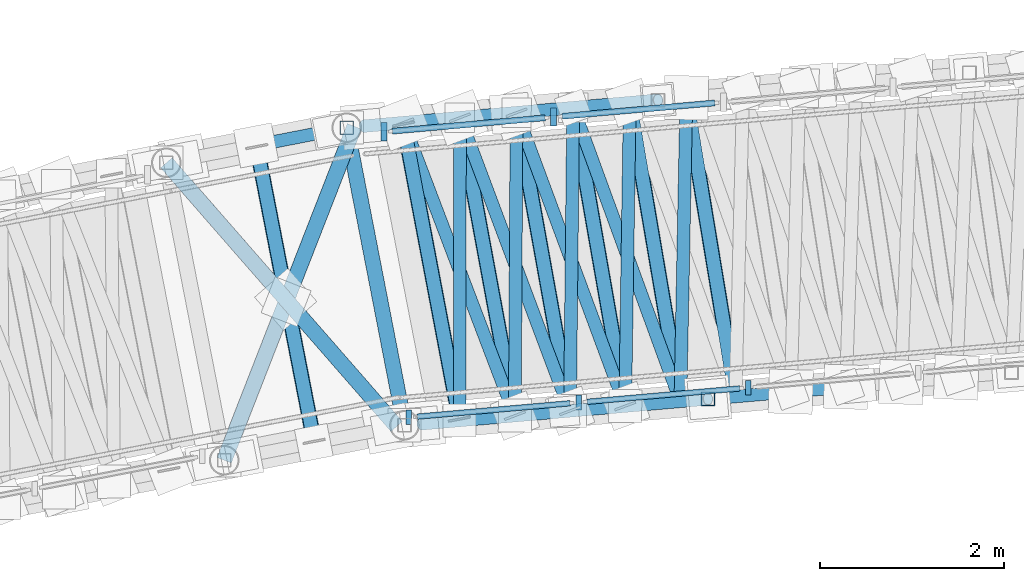
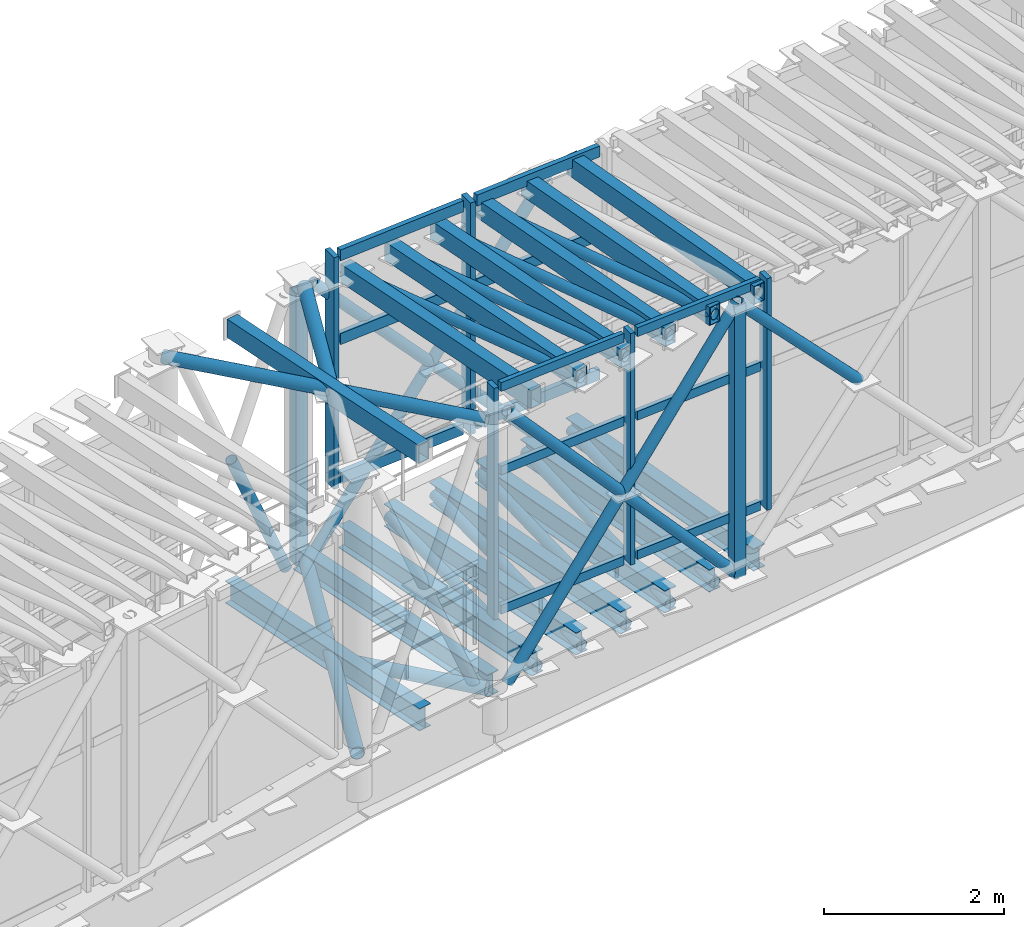
# One storey, part 50 of 144: 47 members, 8 beams, 2 elements without a shape of their own.
"""IFC4 building model written with IfcOpenShell, lengths in metres."""

from ifc_helpers import new_model, si_unit, direction, frame, origin, origin_2d, place, context, subcontext, project, spatial, rectangle, hollow_rectangle, hollow_circle, i_section, extrude, material, material_profile, profile_set, type_object, element, aggregate, save


model = new_model("IFC4")

# Units and contexts
model_context = context("Model", 3, precision=1e-05, world=origin(), true_north=direction((0.0, 1.0)))
body_context = subcontext(model_context, "Body", "Model", "MODEL_VIEW")
ifc_project = project(units=[si_unit("LENGTHUNIT", "METRE"), si_unit("AREAUNIT", "SQUARE_METRE"), si_unit("VOLUMEUNIT", "CUBIC_METRE"), si_unit("PLANEANGLEUNIT", "RADIAN"), si_unit("MASSUNIT", "GRAM", prefix="KILO")], contexts=[model_context])

# Site, building, storey
site_placement = place(None, origin())
site = spatial("IfcSite", under=ifc_project, at=site_placement, CompositionType="ELEMENT")
building_placement = place(site_placement, origin())
building = spatial("IfcBuilding", under=site, at=building_placement, Name="Cinderbank Siding Concert Hall", CompositionType="ELEMENT")
storey_placement = place(building_placement, frame((0.0, 0.0, 5.39990234375)))
storey = spatial("IfcBuildingStorey", under=building, at=storey_placement, Name="L02", CompositionType="ELEMENT", Elevation=5.39990234375)

# Members
ifc_material_1 = material(Name="Structural steel hollow section AS/NZS 1163 Grade C350L0 (350 MPa)", Category="steel")
ifc_material_profile_1 = material_profile(ifc_material_1, hollow_circle(Radius=0.06982421875, WallThickness=0.00634765625, at=origin_2d()), Name="139.7x6.4CHS", Category="LoadBearing")
ifc_profile_set_1 = profile_set([ifc_material_profile_1], Name="Structural steel hollow section AS/NZS 1163 Grade C350L0 (350 MPa)")
member_type_1 = type_object("IfcMemberType", Name="BR-CHS139 139.7x6.4CHS Roof Truss", PredefinedType="BRACE", material=ifc_profile_set_1)
member_1_placement = place(storey_placement, frame((62.666015625, 100.876220703125, 2.346435546875), z_axis=(0.393819954659, 0.076596398108, -0.91599063047), x_axis=(-0.190918403703, 0.981605910296, 0.0)))
element("IfcMember", 1, at=member_1_placement, inside=storey, type_object=member_type_1, Name="L02 Diagonal Brace BR-CHS139 #BRDL-BR-CHS139-L02-0130-S9", PredefinedType="BRACE", context=body_context, shape_type="SweptSolid", body=[
    extrude(hollow_circle(Radius=0.06982421875, WallThickness=0.00634765625, at=origin_2d()), origin(), (0.0, 0.0, 1.0), 2.0048828125),
])
member_2_placement = place(storey_placement, frame((63.831298828125, 101.082763671875, 0.5234375), z_axis=(0.630798352253, 0.055578007236, 0.773953825436), x_axis=(-0.087767400268, 0.996140995768, 0.0)))
element("IfcMember", 2, at=member_2_placement, inside=storey, type_object=member_type_1, Name="L02 Diagonal Brace BR-CHS139 #BRDL-BR-CHS139-L02-0140", PredefinedType="BRACE", context=body_context, shape_type="SweptSolid", body=[
    extrude(hollow_circle(Radius=0.06982421875, WallThickness=0.00634765625, at=origin_2d()), origin(), (0.0, 0.0, 1.0), 5.07373046875),
])
member_3_placement = place(storey_placement, frame((63.831298828125, 101.082763671875, 4.223388671875), z_axis=(0.676439358433, 0.059615567594, -0.734081588424), x_axis=(-0.087791145482, 0.996138903354, 0.0)))
element("IfcMember", 3, at=member_3_placement, inside=storey, type_object=member_type_1, Name="L02 Diagonal Brace BR-CHS139 #BRDL-BR-CHS139-L02-0141", PredefinedType="BRACE", context=body_context, shape_type="SweptSolid", body=[
    extrude(hollow_circle(Radius=0.06982421875, WallThickness=0.00634765625, at=origin_2d()), origin(), (0.0, 0.0, 1.0), 2.3505859375),
])
member_4_placement = place(storey_placement, frame((65.441650390625, 101.224609375, 2.475830078125), z_axis=(0.67638778785, 0.059611022605, -0.734129475251), x_axis=(-0.087791145482, 0.996138903354, 0.0)))
element("IfcMember", 4, at=member_4_placement, inside=storey, type_object=member_type_1, Name="L02 Diagonal Brace BR-CHS139 #BRDL-BR-CHS139-L02-0141-S13", PredefinedType="BRACE", context=body_context, shape_type="SweptSolid", body=[
    extrude(hollow_circle(Radius=0.06982421875, WallThickness=0.00634765625, at=origin_2d()), origin(), (0.0, 0.0, 1.0), 2.350830078125),
])
member_5_placement = place(storey_placement, frame((64.460205078125, 97.84228515625, 0.523681640625), z_axis=(0.620624939229, 0.053939894797, 0.782250070346), x_axis=(-0.086585817785, 0.996244395798, 0.0)))
element("IfcMember", 5, at=member_5_placement, inside=storey, type_object=member_type_1, Name="L02 Diagonal Brace BR-CHS139 #BRDR-BR-CHS139-L02-0152", PredefinedType="BRACE", context=body_context, shape_type="SweptSolid", body=[
    extrude(hollow_circle(Radius=0.06982421875, WallThickness=0.00634765625, at=origin_2d()), origin(), (0.0, 0.0, 1.0), 5.01953125),
])
for number, where, z_axis, x_axis, name in (
    (6, (64.460205078125, 97.84228515625, 4.223876953125), (0.666498202154, 0.057933508343, -0.743252215023), (-0.086595707282, 0.99624353623, 0.0), "L02 Diagonal Brace BR-CHS139 #BRDR-BR-CHS139-L02-0153"),
    (7, (66.02783203125, 97.978515625, 2.475830078125), (0.666498202154, 0.057933508343, -0.743252215023), (-0.086595707282, 0.99624353623, 0.0), "L02 Diagonal Brace BR-CHS139 #BRDR-BR-CHS139-L02-0153-S17"),
):
    element("IfcMember", number, at=place(storey_placement, frame(where, z_axis=z_axis, x_axis=x_axis)), inside=storey, type_object=member_type_1, Name=name, PredefinedType="BRACE", context=body_context, shape_type="SweptSolid", body=[
        extrude(hollow_circle(Radius=0.06982421875, WallThickness=0.00634765625, at=origin_2d()), origin(), (0.0, 0.0, 1.0), 2.322021484375),
    ])
member_6_placement = place(storey_placement, frame((67.575439453125, 98.113037109375, 4.4501953125), z_axis=(0.689403024463, 0.059867861158, -0.721899791565), x_axis=(-0.086514549146, 0.996250587345, 0.0)))
element("IfcMember", 8, at=member_6_placement, inside=storey, type_object=member_type_1, Name="L02 Diagonal Brace BR-CHS139 #BRDR-BR-CHS139-L02-0156", PredefinedType="BRACE", context=body_context, shape_type="SweptSolid", body=[
    extrude(hollow_circle(Radius=0.06982421875, WallThickness=0.00634765625, at=origin_2d()), origin(), (0.0, 0.0, 1.0), 2.381591796875),
])
member_7_placement = place(storey_placement, frame((64.871826171875, 97.878173828125, 0.583740234375), z_axis=(0.000814622265, 0.999911801868, 0.013256125947), x_axis=(-0.999999668137, 0.000814693849, 0.0)))
element("IfcMember", 9, at=member_7_placement, inside=storey, type_object=member_type_1, Name="L02 Diagonal Brace BR-CHS139 #BRST-BR-CHS139-L02-0165", PredefinedType="BRACE", context=body_context, shape_type="SweptSolid", body=[
    extrude(hollow_circle(Radius=0.06982421875, WallThickness=0.00634765625, at=origin_2d()), origin(), (0.0, 0.0, 1.0), 3.296630859375),
])
member_8_placement = place(storey_placement, frame((64.25830078125, 101.120361328125, 4.2236328125), z_axis=(0.355746056215, -0.934494967935, 0.012802280672), x_axis=(0.934571558461, 0.355775212903, 0.0)))
element("IfcMember", 10, at=member_8_placement, inside=storey, type_object=member_type_1, Name="L02 Diagonal Brace BR-CHS139 #BRXR-BR-CHS139-L02-0166", PredefinedType="BRACE", context=body_context, shape_type="SweptSolid", body=[
    extrude(hollow_circle(Radius=0.06982421875, WallThickness=0.00634765625, at=origin_2d()), origin(), (0.0, 0.0, 1.0), 3.41357421875),
])
member_9_placement = place(storey_placement, frame((65.47265625, 97.930419921875, 0.62744140625), z_axis=(0.005550465319, 0.999897825608, 0.013173104356), x_axis=(-0.999984593375, 0.005550946969, 0.0)))
element("IfcMember", 11, at=member_9_placement, inside=storey, type_object=member_type_1, Name="L02 Diagonal Brace BR-CHS139 #BRST-BR-CHS139-L02-0168", PredefinedType="BRACE", context=body_context, shape_type="SweptSolid", body=[
    extrude(hollow_circle(Radius=0.06982421875, WallThickness=0.00634765625, at=origin_2d()), origin(), (0.0, 0.0, 1.0), 3.298828125),
])
member_10_placement = place(storey_placement, frame((64.87451171875, 101.174560546875, 4.267333984375), z_axis=(0.351588839803, -0.936066805217, 0.012814987238), x_axis=(0.936143676955, 0.351617713004, 0.0)))
element("IfcMember", 12, at=member_10_placement, inside=storey, type_object=member_type_1, Name="L02 Diagonal Brace BR-CHS139 #BRXR-BR-CHS139-L02-0169", PredefinedType="BRACE", context=body_context, shape_type="SweptSolid", body=[
    extrude(hollow_circle(Radius=0.06982421875, WallThickness=0.00634765625, at=origin_2d()), origin(), (0.0, 0.0, 1.0), 3.41015625),
])
member_11_placement = place(storey_placement, frame((66.073486328125, 97.982421875, 0.6708984375), z_axis=(0.010279620963, 0.999859535352, 0.013237785268), x_axis=(-0.99994715404, 0.010280521776, 0.0)))
element("IfcMember", 13, at=member_11_placement, inside=storey, type_object=member_type_1, Name="L02 Diagonal Brace BR-CHS139 #BRST-BR-CHS139-L02-0171", PredefinedType="BRACE", context=body_context, shape_type="SweptSolid", body=[
    extrude(hollow_circle(Radius=0.06982421875, WallThickness=0.00634765625, at=origin_2d()), origin(), (0.0, 0.0, 1.0), 3.30126953125),
])
member_12_placement = place(storey_placement, frame((65.490966796875, 101.22900390625, 4.31103515625), z_axis=(0.347353783615, -0.937647391132, 0.012756132346), x_axis=(0.937723686925, 0.347382047579, 0.0)))
element("IfcMember", 14, at=member_12_placement, inside=storey, type_object=member_type_1, Name="L02 Diagonal Brace BR-CHS139 #BRXR-BR-CHS139-L02-0172", PredefinedType="BRACE", context=body_context, shape_type="SweptSolid", body=[
    extrude(hollow_circle(Radius=0.06982421875, WallThickness=0.00634765625, at=origin_2d()), origin(), (0.0, 0.0, 1.0), 3.40673828125),
])
member_13_placement = place(storey_placement, frame((66.67431640625, 98.03466796875, 0.714599609375), z_axis=(0.014927918941, 0.999801066122, 0.013228205398), x_axis=(-0.999888552907, 0.014929225197, 0.0)))
element("IfcMember", 15, at=member_13_placement, inside=storey, type_object=member_type_1, Name="L02 Diagonal Brace BR-CHS139 #BRST-BR-CHS139-L02-0174", PredefinedType="BRACE", context=body_context, shape_type="SweptSolid", body=[
    extrude(hollow_circle(Radius=0.06982421875, WallThickness=0.00634765625, at=origin_2d()), origin(), (0.0, 0.0, 1.0), 3.3037109375),
])
member_14_placement = place(storey_placement, frame((66.107421875, 101.283203125, 4.3544921875), z_axis=(0.343125708625, -0.939201709664, 0.012841208832), x_axis=(0.939279154847, 0.343154002264, 0.0)))
element("IfcMember", 16, at=member_14_placement, inside=storey, type_object=member_type_1, Name="L02 Diagonal Brace BR-CHS139 #BRXR-BR-CHS139-L02-0175", PredefinedType="BRACE", context=body_context, shape_type="SweptSolid", body=[
    extrude(hollow_circle(Radius=0.06982421875, WallThickness=0.00634765625, at=origin_2d()), origin(), (0.0, 0.0, 1.0), 3.403076171875),
])
member_15_placement = place(storey_placement, frame((67.275146484375, 98.0869140625, 0.75830078125), z_axis=(0.019570516883, 0.999721083191, 0.013219330272), x_axis=(-0.999808445617, 0.019572227088, 0.0)))
element("IfcMember", 17, at=member_15_placement, inside=storey, type_object=member_type_1, Name="L02 Diagonal Brace BR-CHS139 #BRST-BR-CHS139-L02-0177", PredefinedType="BRACE", context=body_context, shape_type="SweptSolid", body=[
    extrude(hollow_circle(Radius=0.06982421875, WallThickness=0.00634765625, at=origin_2d()), origin(), (0.0, 0.0, 1.0), 3.305908203125),
])
ifc_material_profile_2 = material_profile(ifc_material_1, hollow_circle(Radius=0.084228515625, WallThickness=0.007080078125, at=origin_2d()), Name="168.3x7.1CHS", Category="LoadBearing")
ifc_profile_set_2 = profile_set([ifc_material_profile_2], Name="Structural steel hollow section AS/NZS 1163 Grade C350L0 (350 MPa)")
member_type_2 = type_object("IfcMemberType", Name="BR-CHS168 168.3x7.1CHS Roof Truss", PredefinedType="BRACE", material=ifc_profile_set_2)
member_16_placement = place(storey_placement, frame((62.307861328125, 97.44482421875, 0.56005859375), z_axis=(0.363611345037, 0.931550744598, 0.0), x_axis=(-0.931550744598, 0.363611345037, 0.0)))
element("IfcMember", 18, at=member_16_placement, inside=storey, type_object=member_type_2, Name="L02 Diagonal Brace BR-CHS168 #BRWB-BR-CHS168-L02-0135", PredefinedType="BRACE", context=body_context, shape_type="SweptSolid", body=[
    extrude(hollow_circle(Radius=0.084228515625, WallThickness=0.007080078125, at=origin_2d()), origin(), (0.0, 0.0, 1.0), 3.90234375),
])
member_17_placement = place(storey_placement, frame((62.9970703125, 99.173828125, 0.56005859375), z_axis=(0.657748888648, -0.753237279669, 0.0), x_axis=(0.753237279669, 0.657748888648, 0.0)))
element("IfcMember", 19, at=member_17_placement, inside=storey, type_object=member_type_2, Name="L02 Diagonal Brace BR-CHS168 #BRWB-BR-CHS168-L02-0136-S11", PredefinedType="BRACE", context=body_context, shape_type="SweptSolid", body=[
    extrude(hollow_circle(Radius=0.084228515625, WallThickness=0.007080078125, at=origin_2d()), origin(), (0.0, 0.0, 1.0), 1.8076171875),
])
member_18_placement = place(storey_placement, frame((61.67822265625, 100.68408203125, 4.210205078125), z_axis=(0.657756275921, -0.753230828821, 0.0), x_axis=(0.753230828821, 0.657756275921, 0.0)))
element("IfcMember", 20, at=member_18_placement, inside=storey, type_object=member_type_2, Name="L02 Diagonal Brace BR-CHS168 #BRWB-BR-CHS168-L02-0137", PredefinedType="BRACE", context=body_context, shape_type="SweptSolid", body=[
    extrude(hollow_circle(Radius=0.084228515625, WallThickness=0.007080078125, at=origin_2d()), origin(), (0.0, 0.0, 1.0), 3.812744140625),
])
member_19_placement = place(storey_placement, frame((62.99267578125, 99.19921875, 4.210205078125), z_axis=(0.363601352229, 0.931554645019, 0.0), x_axis=(-0.931554645019, 0.363601352229, 0.0)))
element("IfcMember", 21, at=member_19_placement, inside=storey, type_object=member_type_2, Name="L02 Diagonal Brace BR-CHS168 #BRWB-BR-CHS168-L02-0138-S12", PredefinedType="BRACE", context=body_context, shape_type="SweptSolid", body=[
    extrude(hollow_circle(Radius=0.084228515625, WallThickness=0.007080078125, at=origin_2d()), origin(), (0.0, 0.0, 1.0), 2.01904296875),
])
ifc_material_profile_3 = material_profile(ifc_material_1, hollow_rectangle(XDim=0.14990234375, YDim=0.14990234375, WallThickness=0.008056640625, at=origin_2d()), Name="150x150x8.0SHS", Category="LoadBearing")
ifc_profile_set_3 = profile_set([ifc_material_profile_3], Name="Structural steel hollow section AS/NZS 1163 Grade C350L0 (350 MPa)")
member_type_3 = type_object("IfcMemberType", Name="BR-SHS150 150x150x8.0SHS Roof Truss", PredefinedType="BRACE", material=ifc_profile_set_3)
for number, where, z_axis, x_axis, name in (
    (22, (63.64208984375, 101.06591796875, 0.510009765625), (0.0, 0.0, 1.0), (1.0, 0.0, 0.0), "L02 Diagonal Brace BR-SHS150 #BRVL-BR-SHS150-L02-0139"),
    (23, (67.575439453125, 98.113037109375, 0.75), (0.0, 0.0, 1.0), (1.0, 0.0, 0.0), "L02 Diagonal Brace BR-SHS150 #BRVR-BR-SHS150-L02-0154"),
):
    element("IfcMember", number, at=place(storey_placement, frame(where, z_axis=z_axis, x_axis=x_axis)), inside=storey, type_object=member_type_3, Name=name, PredefinedType="BRACE", context=body_context, shape_type="SweptSolid", body=[
        extrude(hollow_rectangle(XDim=0.14990234375, YDim=0.14990234375, WallThickness=0.008056640625, at=origin_2d()), origin(), (0.0, 0.0, 1.0), 3.7001953125),
    ])

# Curtain wall, members
ifc_material_2 = material(Name="Anodised aluminium alloy 6063-T6", Category="aluminium")
curtain_wall_type = type_object("IfcCurtainWallType", Name="CW-15 Unitised Acoustic Curtain Wall 12800x3200", PredefinedType="NOTDEFINED", material=ifc_material_2)
curtain_wall_1_placement = place(storey_placement, origin())
curtain_wall_1 = element("IfcCurtainWall", 24, at=curtain_wall_1_placement, inside=storey, type_object=curtain_wall_type, Name="L02 Curtain Wall CW-15 #156", PredefinedType="NOTDEFINED")
ifc_material_profile_4 = material_profile(ifc_material_2, rectangle(XDim=0.06005859375, YDim=0.159912109375, at=origin_2d()), Name="ALU-MULL-60x160", Category="LoadBearing")
ifc_profile_set_4 = profile_set([ifc_material_profile_4], Name="Anodised aluminium alloy 6063-T6")
member_type_4 = type_object("IfcMemberType", Name="CW-ML1 Mullion 60x160", PredefinedType="MULLION", material=ifc_profile_set_4)
member_20_placement = place(storey_placement, frame((64.318603515625, 97.911865234375, 1.440185546875), z_axis=(0.0, 0.0, 1.0), x_axis=(1.0, 0.0, 0.0)))
member_20 = element("IfcMember", 25, at=member_20_placement, type_object=member_type_4, Name="CW-L02-156 Mullion 0", PredefinedType="MULLION", context=body_context, shape_type="SweptSolid", body=[
    extrude(rectangle(XDim=0.06005859375, YDim=0.159912109375, at=origin_2d()), origin(), (0.0, 0.0, 1.0), 3.14990234375),
])
member_21_placement = place(storey_placement, frame((66.16650390625, 98.073486328125, 1.440185546875), z_axis=(0.0, 0.0, 1.0), x_axis=(1.0, 0.0, 0.0)))
member_21 = element("IfcMember", 26, at=member_21_placement, type_object=member_type_4, Name="CW-L02-156 Mullion 1", PredefinedType="MULLION", context=body_context, shape_type="SweptSolid", body=[
    extrude(rectangle(XDim=0.06005859375, YDim=0.159912109375, at=origin_2d()), origin(), (0.0, 0.0, 1.0), 3.14990234375),
])
member_22_placement = place(storey_placement, frame((68.0146484375, 98.235107421875, 1.440185546875), z_axis=(0.0, 0.0, 1.0), x_axis=(1.0, 0.0, 0.0)))
member_22 = element("IfcMember", 27, at=member_22_placement, type_object=member_type_4, Name="CW-L02-156 Mullion 2", PredefinedType="MULLION", context=body_context, shape_type="SweptSolid", body=[
    extrude(rectangle(XDim=0.06005859375, YDim=0.159912109375, at=origin_2d()), origin(), (0.0, 0.0, 1.0), 3.14990234375),
])

curtain_wall_2_placement = place(storey_placement, origin())
curtain_wall_2 = element("IfcCurtainWall", 28, at=curtain_wall_2_placement, inside=storey, type_object=curtain_wall_type, Name="L02 Curtain Wall CW-15 #155", PredefinedType="NOTDEFINED")
ifc_material_profile_5 = material_profile(ifc_material_2, rectangle(XDim=0.06494140625, YDim=0.199951171875, at=origin_2d()), Name="ALU-MULL-65x200", Category="LoadBearing")
ifc_profile_set_5 = profile_set([ifc_material_profile_5], Name="Anodised aluminium alloy 6063-T6")
member_type_5 = type_object("IfcMemberType", Name="CW-ML2 Mullion 65x200", PredefinedType="MULLION", material=ifc_profile_set_5)
member_23_placement = place(storey_placement, frame((64.04638671875, 101.02001953125, 1.440185546875), z_axis=(0.0, 0.0, 1.0), x_axis=(1.0, 0.0, 0.0)))
member_23 = element("IfcMember", 29, at=member_23_placement, type_object=member_type_5, Name="CW-L02-155 Mullion 0", PredefinedType="MULLION", context=body_context, shape_type="SweptSolid", body=[
    extrude(rectangle(XDim=0.06494140625, YDim=0.199951171875, at=origin_2d()), origin(), (0.0, 0.0, 1.0), 3.14990234375),
])
member_24_placement = place(storey_placement, frame((65.89453125, 101.181640625, 1.440185546875), z_axis=(0.0, 0.0, 1.0), x_axis=(1.0, 0.0, 0.0)))
member_24 = element("IfcMember", 30, at=member_24_placement, type_object=member_type_5, Name="CW-L02-155 Mullion 1", PredefinedType="MULLION", context=body_context, shape_type="SweptSolid", body=[
    extrude(rectangle(XDim=0.06494140625, YDim=0.199951171875, at=origin_2d()), origin(), (0.0, 0.0, 1.0), 3.14990234375),
])

# Member
ifc_material_profile_6 = material_profile(ifc_material_2, rectangle(XDim=0.06005859375, YDim=0.1201171875, at=origin_2d()), Name="ALU-TRAN-60x120", Category="LoadBearing")
ifc_profile_set_6 = profile_set([ifc_material_profile_6], Name="Anodised aluminium alloy 6063-T6")
member_type_6 = type_object("IfcMemberType", Name="CW-TR1 Transom 60x120", PredefinedType="USERDEFINED", material=ifc_profile_set_6)
member_25_placement = place(storey_placement, frame((64.410888671875, 97.919921875, 1.5), z_axis=(0.996195463137, 0.087146997803, 0.0), x_axis=(-0.087146997803, 0.996195463137, 0.0)))
member_25 = element("IfcMember", 31, at=member_25_placement, type_object=member_type_6, Name="CW-L02-156 Transom 0-0", ObjectType="TRANSOM", PredefinedType="USERDEFINED", context=body_context, shape_type="SweptSolid", body=[
    extrude(rectangle(XDim=0.06005859375, YDim=0.1201171875, at=origin_2d()), origin(), (0.0, 0.0, 1.0), 1.669677734375),
])

member_26_placement = place(storey_placement, frame((64.410888671875, 97.919921875, 3.39306640625), z_axis=(0.996195463137, 0.087146997803, 0.0), x_axis=(-0.087146997803, 0.996195463137, 0.0)))
member_26 = element("IfcMember", 32, at=member_26_placement, type_object=member_type_6, Name="CW-L02-156 Transom 0-1", ObjectType="TRANSOM", PredefinedType="USERDEFINED", context=body_context, shape_type="SweptSolid", body=[
    extrude(rectangle(XDim=0.06005859375, YDim=0.1201171875, at=origin_2d()), origin(), (0.0, 0.0, 1.0), 1.669677734375),
])

member_27_placement = place(storey_placement, frame((64.410888671875, 97.919921875, 4.530029296875), z_axis=(0.996195463137, 0.087146997803, 0.0), x_axis=(-0.087146997803, 0.996195463137, 0.0)))
member_27 = element("IfcMember", 33, at=member_27_placement, type_object=member_type_6, Name="CW-L02-156 Transom 0-2", ObjectType="TRANSOM", PredefinedType="USERDEFINED", context=body_context, shape_type="SweptSolid", body=[
    extrude(rectangle(XDim=0.06005859375, YDim=0.1201171875, at=origin_2d()), origin(), (0.0, 0.0, 1.0), 1.669677734375),
])

member_28_placement = place(storey_placement, frame((66.259033203125, 98.08154296875, 1.5), z_axis=(0.996195463137, 0.087146997803, 0.0), x_axis=(-0.087146997803, 0.996195463137, 0.0)))
member_28 = element("IfcMember", 34, at=member_28_placement, type_object=member_type_6, Name="CW-L02-156 Transom 1-0", ObjectType="TRANSOM", PredefinedType="USERDEFINED", context=body_context, shape_type="SweptSolid", body=[
    extrude(rectangle(XDim=0.06005859375, YDim=0.1201171875, at=origin_2d()), origin(), (0.0, 0.0, 1.0), 1.669677734375),
])

member_29_placement = place(storey_placement, frame((66.259033203125, 98.08154296875, 3.39306640625), z_axis=(0.996195463137, 0.087146997803, 0.0), x_axis=(-0.087146997803, 0.996195463137, 0.0)))
member_29 = element("IfcMember", 35, at=member_29_placement, type_object=member_type_6, Name="CW-L02-156 Transom 1-1", ObjectType="TRANSOM", PredefinedType="USERDEFINED", context=body_context, shape_type="SweptSolid", body=[
    extrude(rectangle(XDim=0.06005859375, YDim=0.1201171875, at=origin_2d()), origin(), (0.0, 0.0, 1.0), 1.669677734375),
])

member_30_placement = place(storey_placement, frame((66.259033203125, 98.08154296875, 4.530029296875), z_axis=(0.996195463137, 0.087146997803, 0.0), x_axis=(-0.087146997803, 0.996195463137, 0.0)))
member_30 = element("IfcMember", 36, at=member_30_placement, type_object=member_type_6, Name="CW-L02-156 Transom 1-2", ObjectType="TRANSOM", PredefinedType="USERDEFINED", context=body_context, shape_type="SweptSolid", body=[
    extrude(rectangle(XDim=0.06005859375, YDim=0.1201171875, at=origin_2d()), origin(), (0.0, 0.0, 1.0), 1.669677734375),
])

aggregate(curtain_wall_1, [member_20, member_21, member_22, member_25, member_26, member_27, member_28, member_29, member_30])

ifc_material_profile_7 = material_profile(ifc_material_2, rectangle(XDim=0.06494140625, YDim=0.14990234375, at=origin_2d()), Name="ALU-TRAN-65x150", Category="LoadBearing")
ifc_profile_set_7 = profile_set([ifc_material_profile_7], Name="Anodised aluminium alloy 6063-T6")
member_type_7 = type_object("IfcMemberType", Name="CW-TR2 Transom 65x150", PredefinedType="USERDEFINED", material=ifc_profile_set_7)
member_31_placement = place(storey_placement, frame((64.138916015625, 101.028076171875, 1.5), z_axis=(0.996195463137, 0.087146997803, 0.0), x_axis=(-0.087146997803, 0.996195463137, 0.0)))
member_31 = element("IfcMember", 37, at=member_31_placement, type_object=member_type_7, Name="CW-L02-155 Transom 0-0", ObjectType="TRANSOM", PredefinedType="USERDEFINED", context=body_context, shape_type="SweptSolid", body=[
    extrude(rectangle(XDim=0.06494140625, YDim=0.14990234375, at=origin_2d()), origin(), (0.0, 0.0, 1.0), 1.669677734375),
])

member_32_placement = place(storey_placement, frame((64.138916015625, 101.028076171875, 3.39306640625), z_axis=(0.996195463137, 0.087146997803, 0.0), x_axis=(-0.087146997803, 0.996195463137, 0.0)))
member_32 = element("IfcMember", 38, at=member_32_placement, type_object=member_type_7, Name="CW-L02-155 Transom 0-1", ObjectType="TRANSOM", PredefinedType="USERDEFINED", context=body_context, shape_type="SweptSolid", body=[
    extrude(rectangle(XDim=0.06494140625, YDim=0.14990234375, at=origin_2d()), origin(), (0.0, 0.0, 1.0), 1.669677734375),
])

member_33_placement = place(storey_placement, frame((64.138916015625, 101.028076171875, 4.530029296875), z_axis=(0.996195463137, 0.087146997803, 0.0), x_axis=(-0.087146997803, 0.996195463137, 0.0)))
member_33 = element("IfcMember", 39, at=member_33_placement, type_object=member_type_7, Name="CW-L02-155 Transom 0-2", ObjectType="TRANSOM", PredefinedType="USERDEFINED", context=body_context, shape_type="SweptSolid", body=[
    extrude(rectangle(XDim=0.06494140625, YDim=0.14990234375, at=origin_2d()), origin(), (0.0, 0.0, 1.0), 1.669677734375),
])

member_34_placement = place(storey_placement, frame((65.987060546875, 101.189697265625, 1.5), z_axis=(0.996195463137, 0.087146997803, 0.0), x_axis=(-0.087146997803, 0.996195463137, 0.0)))
member_34 = element("IfcMember", 40, at=member_34_placement, type_object=member_type_7, Name="CW-L02-155 Transom 1-0", ObjectType="TRANSOM", PredefinedType="USERDEFINED", context=body_context, shape_type="SweptSolid", body=[
    extrude(rectangle(XDim=0.06494140625, YDim=0.14990234375, at=origin_2d()), origin(), (0.0, 0.0, 1.0), 1.669677734375),
])

member_35_placement = place(storey_placement, frame((65.987060546875, 101.189697265625, 3.39306640625), z_axis=(0.996195463137, 0.087146997803, 0.0), x_axis=(-0.087146997803, 0.996195463137, 0.0)))
member_35 = element("IfcMember", 41, at=member_35_placement, type_object=member_type_7, Name="CW-L02-155 Transom 1-1", ObjectType="TRANSOM", PredefinedType="USERDEFINED", context=body_context, shape_type="SweptSolid", body=[
    extrude(rectangle(XDim=0.06494140625, YDim=0.14990234375, at=origin_2d()), origin(), (0.0, 0.0, 1.0), 1.669677734375),
])

member_36_placement = place(storey_placement, frame((65.987060546875, 101.189697265625, 4.530029296875), z_axis=(0.996195463137, 0.087146997803, 0.0), x_axis=(-0.087146997803, 0.996195463137, 0.0)))
member_36 = element("IfcMember", 42, at=member_36_placement, type_object=member_type_7, Name="CW-L02-155 Transom 1-2", ObjectType="TRANSOM", PredefinedType="USERDEFINED", context=body_context, shape_type="SweptSolid", body=[
    extrude(rectangle(XDim=0.06494140625, YDim=0.14990234375, at=origin_2d()), origin(), (0.0, 0.0, 1.0), 1.669677734375),
])

aggregate(curtain_wall_2, [member_23, member_24, member_31, member_32, member_33, member_34, member_35, member_36])

# Beams
ifc_material_3 = material(Name="Structural steel AS/NZS 3679.1 Grade 350 (340 MPa)", Category="steel")
ifc_material_profile_8 = material_profile(ifc_material_3, i_section(OverallWidth=0.1650390625, OverallDepth=0.303955078125, WebThickness=0.006103515625, FlangeThickness=0.01025390625, at=origin_2d()), Name="310UB40.4", Category="LoadBearing")
ifc_profile_set_8 = profile_set([ifc_material_profile_8], Name="Structural steel AS/NZS 3679.1 Grade 350 (340 MPa)")
beam_type = type_object("IfcBeamType", Name="JS-UB310 310UB40.4", PredefinedType="JOIST", material=ifc_profile_set_8)
beam_1_placement = place(storey_placement, frame((63.28955078125, 97.635498046875, 0.588134765625), z_axis=(-0.190792434096, 0.98163040249, 0.0), x_axis=(-0.98163040249, -0.190792434096, 0.0)))
element("IfcBeam", 43, at=beam_1_placement, inside=storey, type_object=beam_type, Name="L02 Beam JS-UB310 #1927", PredefinedType="JOIST", context=body_context, shape_type="SweptSolid", body=[
    extrude(i_section(OverallWidth=0.1650390625, OverallDepth=0.303955078125, WebThickness=0.006103515625, FlangeThickness=0.01025390625, at=origin_2d()), origin(), (0.0, 0.0, 1.0), 3.300048828125),
])
beam_2_placement = place(storey_placement, frame((64.27099609375, 97.825927734375, 0.588134765625), z_axis=(-0.19055088362, 0.981677320076, 0.0), x_axis=(-0.981677320076, -0.19055088362, 0.0)))
element("IfcBeam", 44, at=beam_2_placement, inside=storey, type_object=beam_type, Name="L02 Beam JS-UB310 #1928", PredefinedType="JOIST", context=body_context, shape_type="SweptSolid", body=[
    extrude(i_section(OverallWidth=0.1650390625, OverallDepth=0.303955078125, WebThickness=0.006103515625, FlangeThickness=0.01025390625, at=origin_2d()), origin(), (0.0, 0.0, 1.0), 3.300537109375),
])
beam_3_placement = place(storey_placement, frame((64.871826171875, 97.878173828125, 0.631591796875), z_axis=(-0.185932210111, 0.982562574721, 0.0), x_axis=(-0.982562574721, -0.185932210111, 0.0)))
element("IfcBeam", 45, at=beam_3_placement, inside=storey, type_object=beam_type, Name="L02 Beam JS-UB310 #1931", PredefinedType="JOIST", context=body_context, shape_type="SweptSolid", body=[
    extrude(i_section(OverallWidth=0.1650390625, OverallDepth=0.303955078125, WebThickness=0.006103515625, FlangeThickness=0.01025390625, at=origin_2d()), origin(), (0.0, 0.0, 1.0), 3.2998046875),
])
beam_4_placement = place(storey_placement, frame((65.47265625, 97.930419921875, 0.67529296875), z_axis=(-0.181320655472, 0.983424028535, 0.0), x_axis=(-0.983424028535, -0.181320655472, 0.0)))
element("IfcBeam", 46, at=beam_4_placement, inside=storey, type_object=beam_type, Name="L02 Beam JS-UB310 #1932", PredefinedType="JOIST", context=body_context, shape_type="SweptSolid", body=[
    extrude(i_section(OverallWidth=0.1650390625, OverallDepth=0.303955078125, WebThickness=0.006103515625, FlangeThickness=0.01025390625, at=origin_2d()), origin(), (0.0, 0.0, 1.0), 3.298828125),
])
beam_5_placement = place(storey_placement, frame((66.073486328125, 97.982421875, 0.718994140625), z_axis=(-0.176605225814, 0.984281765662, 0.0), x_axis=(-0.984281765662, -0.176605225814, 0.0)))
element("IfcBeam", 47, at=beam_5_placement, inside=storey, type_object=beam_type, Name="L02 Beam JS-UB310 #1933", PredefinedType="JOIST", context=body_context, shape_type="SweptSolid", body=[
    extrude(i_section(OverallWidth=0.1650390625, OverallDepth=0.303955078125, WebThickness=0.006103515625, FlangeThickness=0.01025390625, at=origin_2d()), origin(), (0.0, 0.0, 1.0), 3.29833984375),
])
beam_6_placement = place(storey_placement, frame((66.67431640625, 98.03466796875, 0.7626953125), z_axis=(-0.171909791072, 0.985112695956, 0.0), x_axis=(-0.985112695956, -0.171909791072, 0.0)))
element("IfcBeam", 48, at=beam_6_placement, inside=storey, type_object=beam_type, Name="L02 Beam JS-UB310 #1934", PredefinedType="JOIST", context=body_context, shape_type="SweptSolid", body=[
    extrude(i_section(OverallWidth=0.1650390625, OverallDepth=0.303955078125, WebThickness=0.006103515625, FlangeThickness=0.01025390625, at=origin_2d()), origin(), (0.0, 0.0, 1.0), 3.297607421875),
])
beam_7_placement = place(storey_placement, frame((67.275146484375, 98.0869140625, 0.806396484375), z_axis=(-0.167268042246, 0.985911457507, 0.0), x_axis=(-0.985911457507, -0.167268042246, 0.0)))
element("IfcBeam", 49, at=beam_7_placement, inside=storey, type_object=beam_type, Name="L02 Beam JS-UB310 #1935", PredefinedType="JOIST", context=body_context, shape_type="SweptSolid", body=[
    extrude(i_section(OverallWidth=0.1650390625, OverallDepth=0.303955078125, WebThickness=0.006103515625, FlangeThickness=0.01025390625, at=origin_2d()), origin(), (0.0, 0.0, 1.0), 3.297119140625),
])
beam_8_placement = place(storey_placement, frame((67.8759765625, 98.13916015625, 0.849853515625), z_axis=(-0.162633320216, 0.986686577975, 0.0), x_axis=(-0.986686577975, -0.162633320216, 0.0)))
element("IfcBeam", 50, at=beam_8_placement, inside=storey, type_object=beam_type, Name="L02 Beam JS-UB310 #1936", PredefinedType="JOIST", context=body_context, shape_type="SweptSolid", body=[
    extrude(i_section(OverallWidth=0.1650390625, OverallDepth=0.303955078125, WebThickness=0.006103515625, FlangeThickness=0.01025390625, at=origin_2d()), origin(), (0.0, 0.0, 1.0), 3.296630859375),
])

# Members
ifc_material_profile_9 = material_profile(ifc_material_1, hollow_rectangle(XDim=0.14990234375, YDim=0.25, WallThickness=0.009033203125, at=origin_2d()), Name="250x150x9.0RHS", Category="LoadBearing")
ifc_profile_set_9 = profile_set([ifc_material_profile_9], Name="Structural steel hollow section AS/NZS 1163 Grade C350L0 (350 MPa)")
member_type_8 = type_object("IfcMemberType", Name="PR-RHS250 250x150x9.0RHS Roof Truss", PredefinedType="PURLIN", material=ifc_profile_set_9)
member_37_placement = place(storey_placement, frame((63.28466796875, 97.659912109375, 4.18017578125), z_axis=(-0.190710831201, 0.981646259537, 0.0), x_axis=(-0.981646259537, -0.190710831201, 0.0)))
element("IfcMember", 51, at=member_37_placement, inside=storey, type_object=member_type_8, Name="L02 Roof Truss Member PR-RHS250 #134", PredefinedType="PURLIN", context=body_context, shape_type="SweptSolid", body=[
    extrude(hollow_rectangle(XDim=0.14990234375, YDim=0.25, WallThickness=0.009033203125, at=origin_2d()), origin(), (0.0, 0.0, 1.0), 3.250244140625),
])
member_38_placement = place(storey_placement, frame((64.8671875, 97.902587890625, 4.2236328125), z_axis=(-0.185934793375, 0.982562085882, 0.0), x_axis=(-0.982562085882, -0.185934793375, 0.0)))
element("IfcMember", 52, at=member_38_placement, inside=storey, type_object=member_type_8, Name="L02 Roof Truss Member PR-RHS250 #163", PredefinedType="PURLIN", context=body_context, shape_type="SweptSolid", body=[
    extrude(hollow_rectangle(XDim=0.14990234375, YDim=0.25, WallThickness=0.009033203125, at=origin_2d()), origin(), (0.0, 0.0, 1.0), 3.249755859375),
])
member_39_placement = place(storey_placement, frame((65.47265625, 97.930419921875, 4.267333984375), z_axis=(-0.181320655472, 0.983424028535, 0.0), x_axis=(-0.983424028535, -0.181320655472, 0.0)))
element("IfcMember", 53, at=member_39_placement, inside=storey, type_object=member_type_8, Name="L02 Roof Truss Member PR-RHS250 #164", PredefinedType="PURLIN", context=body_context, shape_type="SweptSolid", body=[
    extrude(hollow_rectangle(XDim=0.14990234375, YDim=0.25, WallThickness=0.009033203125, at=origin_2d()), origin(), (0.0, 0.0, 1.0), 3.298828125),
])
member_40_placement = place(storey_placement, frame((66.073486328125, 97.982421875, 4.31103515625), z_axis=(-0.176605225814, 0.984281765662, 0.0), x_axis=(-0.984281765662, -0.176605225814, 0.0)))
element("IfcMember", 54, at=member_40_placement, inside=storey, type_object=member_type_8, Name="L02 Roof Truss Member PR-RHS250 #167", PredefinedType="PURLIN", context=body_context, shape_type="SweptSolid", body=[
    extrude(hollow_rectangle(XDim=0.14990234375, YDim=0.25, WallThickness=0.009033203125, at=origin_2d()), origin(), (0.0, 0.0, 1.0), 3.29833984375),
])
member_41_placement = place(storey_placement, frame((66.67431640625, 98.03466796875, 4.3544921875), z_axis=(-0.171909791072, 0.985112695956, 0.0), x_axis=(-0.985112695956, -0.171909791072, 0.0)))
element("IfcMember", 55, at=member_41_placement, inside=storey, type_object=member_type_8, Name="L02 Roof Truss Member PR-RHS250 #170", PredefinedType="PURLIN", context=body_context, shape_type="SweptSolid", body=[
    extrude(hollow_rectangle(XDim=0.14990234375, YDim=0.25, WallThickness=0.009033203125, at=origin_2d()), origin(), (0.0, 0.0, 1.0), 3.297607421875),
])
member_42_placement = place(storey_placement, frame((67.275146484375, 98.0869140625, 4.398193359375), z_axis=(-0.167268042246, 0.985911457507, 0.0), x_axis=(-0.985911457507, -0.167268042246, 0.0)))
element("IfcMember", 56, at=member_42_placement, inside=storey, type_object=member_type_8, Name="L02 Roof Truss Member PR-RHS250 #173", PredefinedType="PURLIN", context=body_context, shape_type="SweptSolid", body=[
    extrude(hollow_rectangle(XDim=0.14990234375, YDim=0.25, WallThickness=0.009033203125, at=origin_2d()), origin(), (0.0, 0.0, 1.0), 3.297119140625),
])
member_43_placement = place(storey_placement, frame((67.8759765625, 98.13916015625, 4.44189453125), z_axis=(-0.162633320216, 0.986686577975, 0.0), x_axis=(-0.986686577975, -0.162633320216, 0.0)))
element("IfcMember", 57, at=member_43_placement, inside=storey, type_object=member_type_8, Name="L02 Roof Truss Member PR-RHS250 #176", PredefinedType="PURLIN", context=body_context, shape_type="SweptSolid", body=[
    extrude(hollow_rectangle(XDim=0.14990234375, YDim=0.25, WallThickness=0.009033203125, at=origin_2d()), origin(), (0.0, 0.0, 1.0), 3.296630859375),
])

save(model, "model.ifc")
